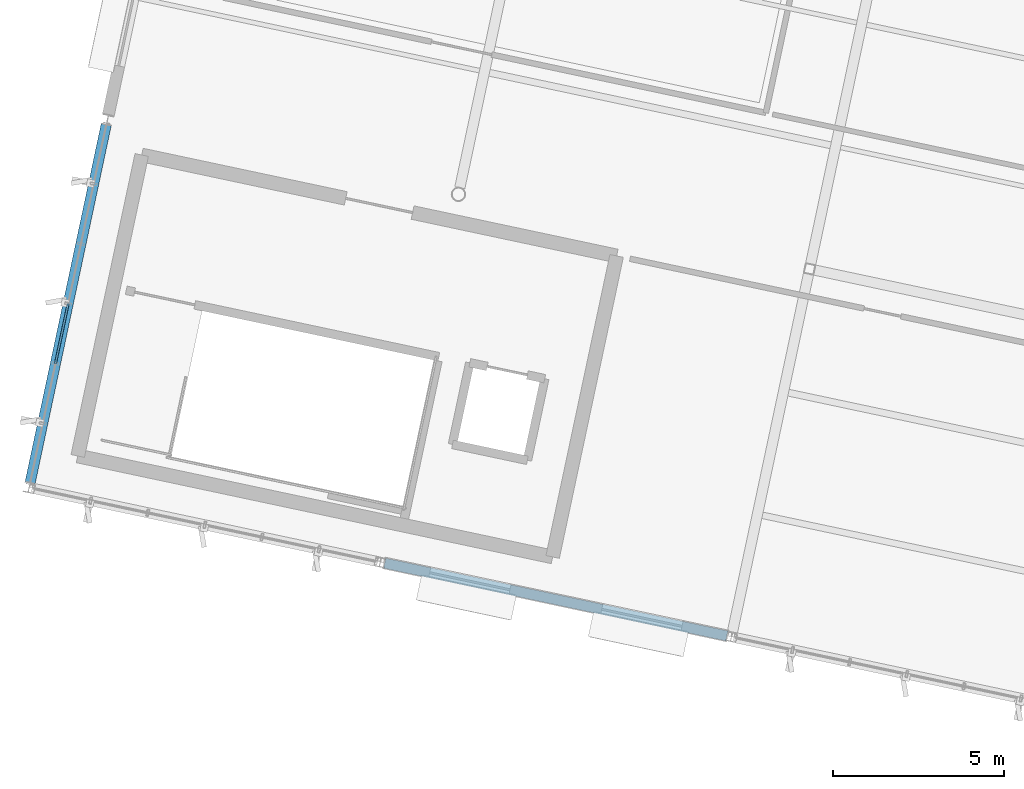
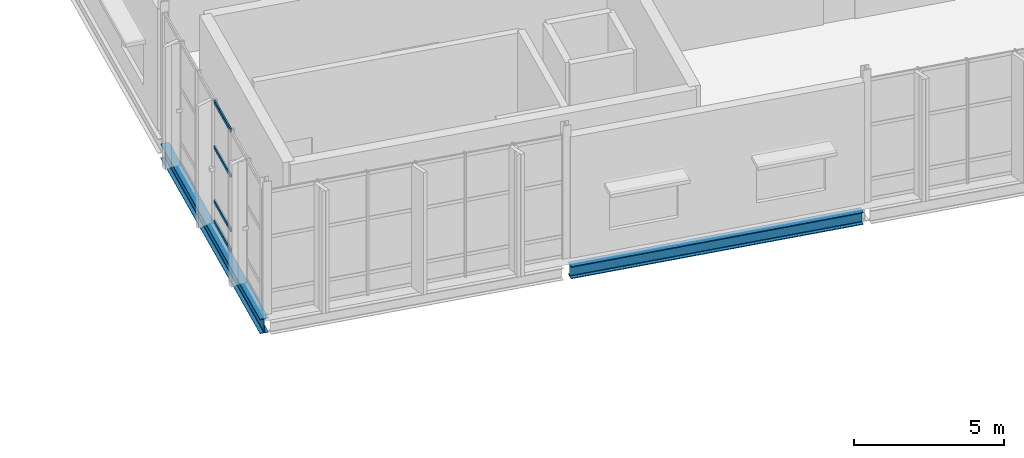
# One storey, part 22 of 176: 4 members, 2 beams, 1 element without a shape of its own.
"""IFC4 building model written with IfcOpenShell, lengths in metres."""

from ifc_helpers import new_model, si_unit, direction, frame, origin, origin_2d, place, context, subcontext, project, spatial, hollow_rectangle, i_section, extrude, material, layer, layer_set, material_profile, profile_set, type_object, element, aggregate, save


model = new_model("IFC4")

# Units and contexts
model_context = context("Model", 3, precision=1e-05, world=origin(), true_north=direction((0.0, 1.0)))
body_context = subcontext(model_context, "Body", "Model", "MODEL_VIEW")
ifc_project = project(units=[si_unit("LENGTHUNIT", "METRE"), si_unit("AREAUNIT", "SQUARE_METRE"), si_unit("VOLUMEUNIT", "CUBIC_METRE"), si_unit("PLANEANGLEUNIT", "RADIAN"), si_unit("MASSUNIT", "GRAM", prefix="KILO")], contexts=[model_context])

# Site, building, storey
site_placement = place(None, origin())
site = spatial("IfcSite", under=ifc_project, at=site_placement, CompositionType="ELEMENT")
building_placement = place(site_placement, origin())
building = spatial("IfcBuilding", under=site, at=building_placement, Name="Khorjan Park Terminus", CompositionType="ELEMENT")
storey_placement = place(building_placement, frame((0.0, 0.0, 6.0)))
storey = spatial("IfcBuildingStorey", under=building, at=storey_placement, Name="L01", CompositionType="ELEMENT", Elevation=6.0)

# Beams
ifc_material_1 = material(Name="Steel S355", Category="steel")
ifc_material_profile_1 = material_profile(ifc_material_1, i_section(OverallWidth=0.3, OverallDepth=0.59, WebThickness=0.013, FlangeThickness=0.025, FilletRadius=0.027, at=origin_2d()), Name="HEA 600")
ifc_profile_set_1 = profile_set([ifc_material_profile_1], Name="Steel S355")
beam_type_1 = type_object("IfcBeamType", Name="BM-HEA600", PredefinedType="BEAM", material=ifc_profile_set_1)
beam_1_placement = place(storey_placement, frame((-5.9699, 42.1418, -0.655), z_axis=(0.207916823947, 0.978146509639, 0.0), x_axis=(-0.978146509639, 0.207916823947, 0.0)))
element("IfcBeam", 1, at=beam_1_placement, inside=storey, type_object=beam_type_1, Name="Primary skew-grid floor girder SB-A60 (L01)", PredefinedType="BEAM", context=body_context, shape_type="SweptSolid", body=[
    extrude(i_section(OverallWidth=0.3, OverallDepth=0.59, WebThickness=0.013, FlangeThickness=0.025, FilletRadius=0.027, at=origin_2d()), origin(), (0.0, 0.0, 1.0), 10.7101),
])
ifc_material_profile_2 = material_profile(ifc_material_1, i_section(OverallWidth=0.3, OverallDepth=0.5, WebThickness=0.0145, FlangeThickness=0.028, FilletRadius=0.027, at=origin_2d()), Name="HEB 500")
ifc_profile_set_2 = profile_set([ifc_material_profile_2], Name="Steel S355")
beam_type_2 = type_object("IfcBeamType", Name="BM-HEB500", PredefinedType="BEAM", material=ifc_profile_set_2)
beam_2_placement = place(storey_placement, frame((4.4026, 39.7889, -0.61), z_axis=(0.97814612919, -0.207918613766, 0.0), x_axis=(0.207918613766, 0.97814612919, 0.0)))
element("IfcBeam", 2, at=beam_2_placement, inside=storey, type_object=beam_type_2, Name="Primary skew-grid floor girder SB-B50 (L01)", PredefinedType="BEAM", context=body_context, shape_type="SweptSolid", body=[
    extrude(i_section(OverallWidth=0.3, OverallDepth=0.5, WebThickness=0.0145, FlangeThickness=0.028, FilletRadius=0.027, at=origin_2d()), origin(), (0.0, 0.0, 1.0), 10.23),
])

# Curtain wall, members
ifc_material_2 = material(Name="Anodized Bronze Aluminium", Category="aluminium")
ifc_layer = layer(ifc_material_2, 0.22)
ifc_layer_set = layer_set([ifc_layer], Name="Anodized Bronze Aluminium")
curtain_wall_type = type_object("IfcCurtainWallType", Name="CW-PAV-C", PredefinedType="NOTDEFINED", material=ifc_layer_set)
curtain_wall_placement = place(storey_placement, origin())
curtain_wall = element("IfcCurtainWall", 3, at=curtain_wall_placement, inside=storey, type_object=curtain_wall_type, Name="Unitized curtain wall CW-C (CW-V4-W-L01-B03)", PredefinedType="NOTDEFINED")
ifc_material_profile_3 = material_profile(ifc_material_2, hollow_rectangle(XDim=0.065, YDim=0.14, WallThickness=0.004, InnerFilletRadius=0.004, OuterFilletRadius=0.008, at=origin_2d()), Name="ALT 65x140x4")
ifc_profile_set_3 = profile_set([ifc_material_profile_3], Name="Anodized Bronze Aluminium")
member_type = type_object("IfcMemberType", Name="TR-ALT-140", PredefinedType="USERDEFINED", material=ifc_profile_set_3)
member_1_placement = place(storey_placement, frame((-4.8564, 47.38, 0.04), z_axis=(-0.207930246676, -0.97814365638, 0.0), x_axis=(0.97814365638, -0.207930246676, 0.0)))
member_1 = element("IfcMember", 4, at=member_1_placement, type_object=member_type, Name="Curtain-wall transom TR-14 (CW-V4-W-L01-B03-3-1)", ObjectType="TRANSOM", PredefinedType="USERDEFINED", context=body_context, shape_type="SweptSolid", body=[
    extrude(hollow_rectangle(XDim=0.065, YDim=0.14, WallThickness=0.004, InnerFilletRadius=0.004, OuterFilletRadius=0.008, at=origin_2d()), origin(), (0.0, 0.0, 1.0), 1.79),
])
member_2_placement = place(storey_placement, frame((-4.8564, 47.38, 0.85), z_axis=(-0.207930246676, -0.97814365638, 0.0), x_axis=(0.97814365638, -0.207930246676, 0.0)))
member_2 = element("IfcMember", 5, at=member_2_placement, type_object=member_type, Name="Curtain-wall transom TR-14 (CW-V4-W-L01-B03-3-2)", ObjectType="TRANSOM", PredefinedType="USERDEFINED", context=body_context, shape_type="SweptSolid", body=[
    extrude(hollow_rectangle(XDim=0.065, YDim=0.14, WallThickness=0.004, InnerFilletRadius=0.004, OuterFilletRadius=0.008, at=origin_2d()), origin(), (0.0, 0.0, 1.0), 1.79),
])
member_3_placement = place(storey_placement, frame((-4.8564, 47.38, 3.0566), z_axis=(-0.207930246676, -0.97814365638, 0.0), x_axis=(0.97814365638, -0.207930246676, 0.0)))
member_3 = element("IfcMember", 6, at=member_3_placement, type_object=member_type, Name="Curtain-wall transom TR-14 (CW-V4-W-L01-B03-3-3)", ObjectType="TRANSOM", PredefinedType="USERDEFINED", context=body_context, shape_type="SweptSolid", body=[
    extrude(hollow_rectangle(XDim=0.065, YDim=0.14, WallThickness=0.004, InnerFilletRadius=0.004, OuterFilletRadius=0.008, at=origin_2d()), origin(), (0.0, 0.0, 1.0), 1.79),
])
member_4_placement = place(storey_placement, frame((-4.8564, 47.38, 4.89), z_axis=(-0.207930246676, -0.97814365638, 0.0), x_axis=(0.97814365638, -0.207930246676, 0.0)))
member_4 = element("IfcMember", 7, at=member_4_placement, type_object=member_type, Name="Curtain-wall transom TR-14 (CW-V4-W-L01-B03-3-4)", ObjectType="TRANSOM", PredefinedType="USERDEFINED", context=body_context, shape_type="SweptSolid", body=[
    extrude(hollow_rectangle(XDim=0.065, YDim=0.14, WallThickness=0.004, InnerFilletRadius=0.004, OuterFilletRadius=0.008, at=origin_2d()), origin(), (0.0, 0.0, 1.0), 1.79),
])
aggregate(curtain_wall, [member_1, member_2, member_3, member_4])

save(model, "model.ifc")
